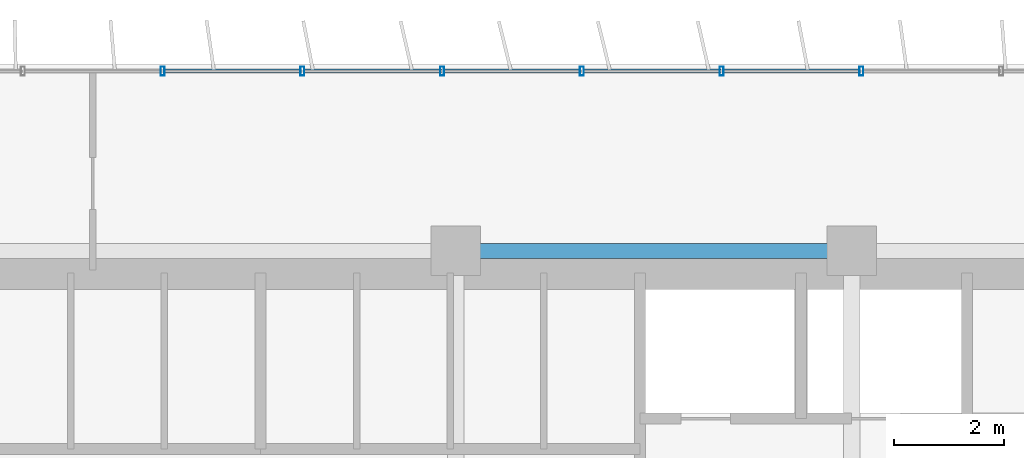
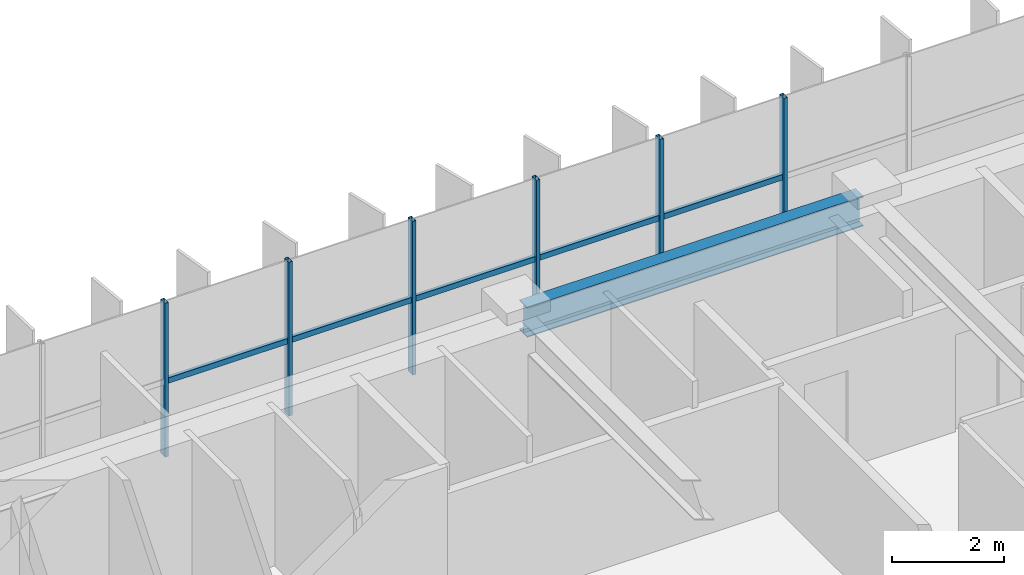
# One storey, part 10 of 24: 11 members, 1 beam, 1 element without a shape of its own.
"""IFC4 building model written with IfcOpenShell, lengths in metres."""

from ifc_helpers import new_model, si_unit, direction, frame, origin, origin_2d, place, context, subcontext, project, spatial, hollow_rectangle, i_section, extrude, source, transform, mapped, material, material_profile, profile_set, type_object, element, aggregate, save


model = new_model("IFC4")

# Units and contexts
model_context = context("Model", 3, precision=1e-05, world=origin(), true_north=direction((0.0, 1.0)))
body_context = subcontext(model_context, "Body", "Model", "MODEL_VIEW")
ifc_project = project(units=[si_unit("LENGTHUNIT", "METRE"), si_unit("AREAUNIT", "SQUARE_METRE"), si_unit("VOLUMEUNIT", "CUBIC_METRE"), si_unit("PLANEANGLEUNIT", "RADIAN"), si_unit("MASSUNIT", "GRAM", prefix="KILO")], contexts=[model_context])

# Site, building, storey
site_placement = place(None, origin())
site = spatial("IfcSite", under=ifc_project, at=site_placement, CompositionType="ELEMENT")
building_placement = place(site_placement, origin())
building = spatial("IfcBuilding", under=site, at=building_placement, Name="Trelvane Seafront Commons", CompositionType="ELEMENT")
storey_placement = place(building_placement, frame((0.0, 0.0, 27.10009765625)))
storey = spatial("IfcBuildingStorey", under=building, at=storey_placement, Name="L06", CompositionType="ELEMENT", Elevation=27.10009765625)

# Beam
ifc_material_1 = material(Name="Steel SM355 (S355)", Category="steel")
ifc_material_profile_1 = material_profile(ifc_material_1, i_section(OverallWidth=0.280029296875, OverallDepth=0.64990234375, WebThickness=0.012939453125, FlangeThickness=0.02197265625, at=origin_2d()), Name="H-650x280x13x22")
ifc_profile_set_1 = profile_set([ifc_material_profile_1], Name="Steel SM355 (S355)")
beam_type = type_object("IfcBeamType", Name="STR-BM-H650", PredefinedType="BEAM", material=ifc_profile_set_1)
shared_shape_1 = source(origin(), body_context, "Body", "SweptSolid", [
    extrude(i_section(OverallWidth=0.280029296875, OverallDepth=0.64990234375, WebThickness=0.012939453125, FlangeThickness=0.02197265625, at=origin_2d()), origin(), (0.0, 0.0, 1.0), 6.900146484375),
])
beam_placement = place(storey_placement, frame((43.949951171875, 45.10009765625, 3.014892578125), z_axis=(1.0, 0.0, 0.0), x_axis=(0.0, 1.0, 0.0)))
element("IfcBeam", 1, at=beam_placement, inside=storey, type_object=beam_type, Name="L06 Primary Girder G-33", PredefinedType="BEAM", context=body_context, shape_type="MappedRepresentation", body=[
    mapped(shared_shape_1, transform((0.0, 0.0, 0.0), x_axis=(1.0, 0.0, 0.0), y_axis=(0.0, 1.0, 0.0), z_axis=(0.0, 0.0, 1.0), scale=1.0)),
])

# Curtain wall, members
ifc_material_2 = material(Name="Anodised pale-silver aluminium", Category="aluminium")
curtain_wall_type = type_object("IfcCurtainWallType", Name="ARCH-CW2-LOWTOWER", PredefinedType="NOTDEFINED", material=ifc_material_2)
curtain_wall_placement = place(storey_placement, origin())
curtain_wall = element("IfcCurtainWall", 2, at=curtain_wall_placement, inside=storey, type_object=curtain_wall_type, Name="CW-L06-0030", PredefinedType="NOTDEFINED")
ifc_material_profile_2 = material_profile(ifc_material_2, hollow_rectangle(XDim=0.070068359375, YDim=0.1201171875, WallThickness=0.00390625, at=origin_2d()), Name="TRAN-70x120x4")
ifc_profile_set_2 = profile_set([ifc_material_profile_2], Name="Anodised pale-silver aluminium")
member_type_1 = type_object("IfcMemberType", Name="ARCH-CW-TRAN-120", PredefinedType="USERDEFINED", material=ifc_profile_set_2)
shared_shape_2 = source(origin(), body_context, "Body", "SweptSolid", [
    extrude(hollow_rectangle(XDim=0.070068359375, YDim=0.1201171875, WallThickness=0.00390625, at=origin_2d()), origin(), (0.0, 0.0, 1.0), 2.51708984375),
])
member_1_placement = place(storey_placement, frame((38.482666015625, 48.3701171875, 1.602783203125), z_axis=(1.0, 0.0, 0.0), x_axis=(0.0, 1.0, 0.0)))
member_1 = element("IfcMember", 3, at=member_1_placement, type_object=member_type_1, Name="CW-L06-0030-T09", ObjectType="TRANSOM", PredefinedType="USERDEFINED", context=body_context, shape_type="MappedRepresentation", body=[
    mapped(shared_shape_2, transform((0.0, 0.0, 0.0), x_axis=(1.0, 0.0, 0.0), y_axis=(0.0, 1.0, 0.0), z_axis=(0.0, 0.0, 1.0), scale=1.0)),
])
member_2_placement = place(storey_placement, frame((43.56494140625, 48.3701171875, 1.602783203125), z_axis=(1.0, 0.0, 0.0), x_axis=(0.0, 1.0, 0.0)))
member_2 = element("IfcMember", 4, at=member_2_placement, type_object=member_type_1, Name="CW-L06-0030-T11", ObjectType="TRANSOM", PredefinedType="USERDEFINED", context=body_context, shape_type="MappedRepresentation", body=[
    mapped(shared_shape_2, transform((0.0, 0.0, 0.0), x_axis=(1.0, 0.0, 0.0), y_axis=(0.0, 1.0, 0.0), z_axis=(0.0, 0.0, 1.0), scale=1.0)),
])
member_3_placement = place(storey_placement, frame((46.106201171875, 48.3701171875, 1.602783203125), z_axis=(1.0, 0.0, 0.0), x_axis=(0.0, 1.0, 0.0)))
member_3 = element("IfcMember", 5, at=member_3_placement, type_object=member_type_1, Name="CW-L06-0030-T12", ObjectType="TRANSOM", PredefinedType="USERDEFINED", context=body_context, shape_type="MappedRepresentation", body=[
    mapped(shared_shape_2, transform((0.0, 0.0, 0.0), x_axis=(1.0, 0.0, 0.0), y_axis=(0.0, 1.0, 0.0), z_axis=(0.0, 0.0, 1.0), scale=1.0)),
])
shared_shape_3 = source(origin(), body_context, "Body", "SweptSolid", [
    extrude(hollow_rectangle(XDim=0.070068359375, YDim=0.1201171875, WallThickness=0.00390625, at=origin_2d()), origin(), (0.0, 0.0, 1.0), 2.517333984375),
])
member_4_placement = place(storey_placement, frame((41.023681640625, 48.3701171875, 1.602783203125), z_axis=(1.0, 0.0, 0.0), x_axis=(0.0, 1.0, 0.0)))
member_4 = element("IfcMember", 6, at=member_4_placement, type_object=member_type_1, Name="CW-L06-0030-T10", ObjectType="TRANSOM", PredefinedType="USERDEFINED", context=body_context, shape_type="MappedRepresentation", body=[
    mapped(shared_shape_3, transform((0.0, 0.0, 0.0), x_axis=(1.0, 0.0, 0.0), y_axis=(0.0, 1.0, 0.0), z_axis=(0.0, 0.0, 1.0), scale=1.0)),
])
member_5_placement = place(storey_placement, frame((48.647216796875, 48.3701171875, 1.602783203125), z_axis=(1.0, 0.0, 0.0), x_axis=(0.0, 1.0, 0.0)))
member_5 = element("IfcMember", 7, at=member_5_placement, type_object=member_type_1, Name="CW-L06-0030-T13", ObjectType="TRANSOM", PredefinedType="USERDEFINED", context=body_context, shape_type="MappedRepresentation", body=[
    mapped(shared_shape_3, transform((0.0, 0.0, 0.0), x_axis=(1.0, 0.0, 0.0), y_axis=(0.0, 1.0, 0.0), z_axis=(0.0, 0.0, 1.0), scale=1.0)),
])
ifc_material_profile_3 = material_profile(ifc_material_2, hollow_rectangle(XDim=0.074951171875, YDim=0.159912109375, WallThickness=0.00390625, at=origin_2d()), Name="MULL-75x160x4")
ifc_profile_set_3 = profile_set([ifc_material_profile_3], Name="Anodised pale-silver aluminium")
member_type_2 = type_object("IfcMemberType", Name="ARCH-CW-MULL-160", PredefinedType="MULLION", material=ifc_profile_set_3)
shared_shape_4 = source(origin(), body_context, "Body", "SweptSolid", [
    extrude(hollow_rectangle(XDim=0.074951171875, YDim=0.159912109375, WallThickness=0.00390625, at=origin_2d()), origin(), (0.0, 0.0, 1.0), 3.33984375),
])
member_6_placement = place(storey_placement, frame((38.470703125, 48.3701171875, 0.0), z_axis=(0.0, 0.0, 1.0), x_axis=(1.0, 0.0, 0.0)))
member_6 = element("IfcMember", 8, at=member_6_placement, type_object=member_type_2, Name="CW-L06-0030-M09", PredefinedType="MULLION", context=body_context, shape_type="MappedRepresentation", body=[
    mapped(shared_shape_4, transform((0.0, 0.0, 0.0), x_axis=(1.0, 0.0, 0.0), y_axis=(0.0, 1.0, 0.0), z_axis=(0.0, 0.0, 1.0), scale=1.0)),
])
member_7_placement = place(storey_placement, frame((41.01171875, 48.3701171875, 0.0), z_axis=(0.0, 0.0, 1.0), x_axis=(1.0, 0.0, 0.0)))
member_7 = element("IfcMember", 9, at=member_7_placement, type_object=member_type_2, Name="CW-L06-0030-M10", PredefinedType="MULLION", context=body_context, shape_type="MappedRepresentation", body=[
    mapped(shared_shape_4, transform((0.0, 0.0, 0.0), x_axis=(1.0, 0.0, 0.0), y_axis=(0.0, 1.0, 0.0), z_axis=(0.0, 0.0, 1.0), scale=1.0)),
])
member_8_placement = place(storey_placement, frame((43.552978515625, 48.3701171875, 0.0), z_axis=(0.0, 0.0, 1.0), x_axis=(1.0, 0.0, 0.0)))
member_8 = element("IfcMember", 10, at=member_8_placement, type_object=member_type_2, Name="CW-L06-0030-M11", PredefinedType="MULLION", context=body_context, shape_type="MappedRepresentation", body=[
    mapped(shared_shape_4, transform((0.0, 0.0, 0.0), x_axis=(1.0, 0.0, 0.0), y_axis=(0.0, 1.0, 0.0), z_axis=(0.0, 0.0, 1.0), scale=1.0)),
])
member_9_placement = place(storey_placement, frame((46.093994140625, 48.3701171875, 0.0), z_axis=(0.0, 0.0, 1.0), x_axis=(1.0, 0.0, 0.0)))
member_9 = element("IfcMember", 11, at=member_9_placement, type_object=member_type_2, Name="CW-L06-0030-M12", PredefinedType="MULLION", context=body_context, shape_type="MappedRepresentation", body=[
    mapped(shared_shape_4, transform((0.0, 0.0, 0.0), x_axis=(1.0, 0.0, 0.0), y_axis=(0.0, 1.0, 0.0), z_axis=(0.0, 0.0, 1.0), scale=1.0)),
])
member_10_placement = place(storey_placement, frame((48.63525390625, 48.3701171875, 0.0), z_axis=(0.0, 0.0, 1.0), x_axis=(1.0, 0.0, 0.0)))
member_10 = element("IfcMember", 12, at=member_10_placement, type_object=member_type_2, Name="CW-L06-0030-M13", PredefinedType="MULLION", context=body_context, shape_type="MappedRepresentation", body=[
    mapped(shared_shape_4, transform((0.0, 0.0, 0.0), x_axis=(1.0, 0.0, 0.0), y_axis=(0.0, 1.0, 0.0), z_axis=(0.0, 0.0, 1.0), scale=1.0)),
])
member_11_placement = place(storey_placement, frame((51.176513671875, 48.3701171875, 0.0), z_axis=(0.0, 0.0, 1.0), x_axis=(1.0, 0.0, 0.0)))
member_11 = element("IfcMember", 13, at=member_11_placement, type_object=member_type_2, Name="CW-L06-0030-M14", PredefinedType="MULLION", context=body_context, shape_type="MappedRepresentation", body=[
    mapped(shared_shape_4, transform((0.0, 0.0, 0.0), x_axis=(1.0, 0.0, 0.0), y_axis=(0.0, 1.0, 0.0), z_axis=(0.0, 0.0, 1.0), scale=1.0)),
])
aggregate(curtain_wall, [member_6, member_7, member_8, member_9, member_10, member_11, member_1, member_4, member_2, member_3, member_5])

save(model, "model.ifc")
